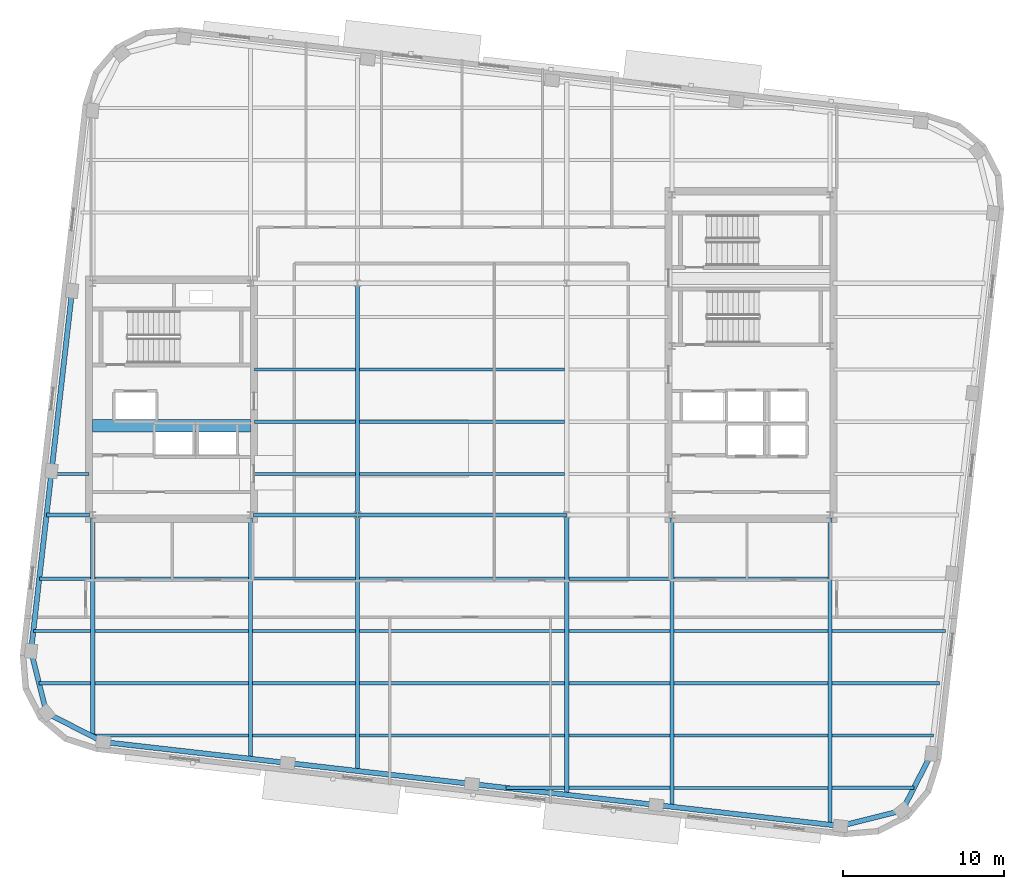
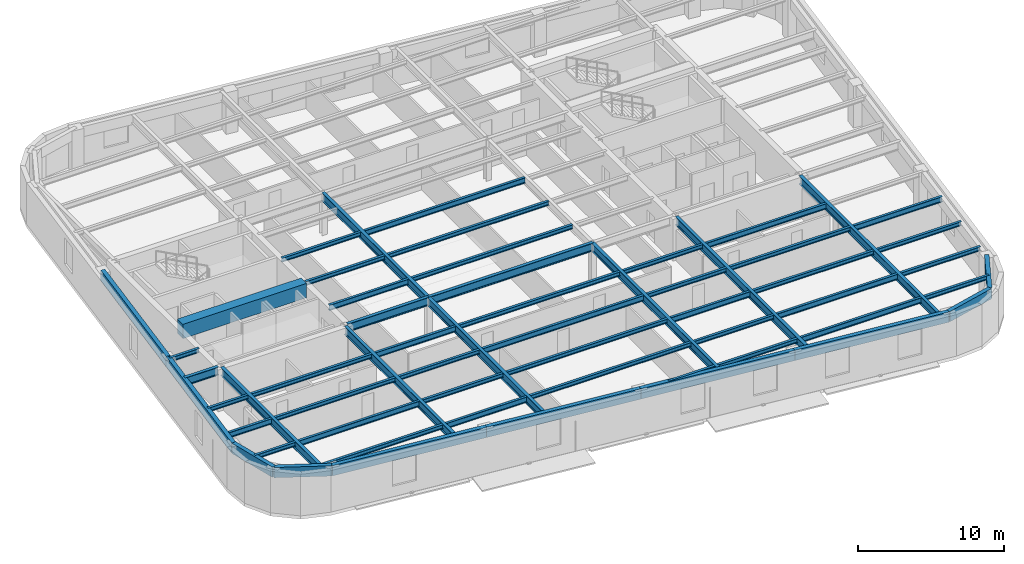
# One storey, part 3 of 13: 58 beams.
"""IFC4 building model written with IfcOpenShell, lengths in metres."""

from ifc_helpers import new_model, si_unit, direction, frame, origin, origin_2d, place, context, subcontext, project, spatial, rectangle, hollow_rectangle, i_section, extrude, material, material_profile, profile_set, type_object, element, save


model = new_model("IFC4")

# Units and contexts
model_context = context("Model", 3, precision=1e-05, world=origin(), true_north=direction((0.0, 1.0)))
body_context = subcontext(model_context, "Body", "Model", "MODEL_VIEW")
ifc_project = project(units=[si_unit("LENGTHUNIT", "METRE"), si_unit("AREAUNIT", "SQUARE_METRE"), si_unit("VOLUMEUNIT", "CUBIC_METRE"), si_unit("PLANEANGLEUNIT", "RADIAN"), si_unit("MASSUNIT", "GRAM", prefix="KILO")], contexts=[model_context])

# Site, building, storey
site_placement = place(None, origin())
site = spatial("IfcSite", under=ifc_project, at=site_placement, CompositionType="ELEMENT")
building_placement = place(site_placement, origin())
building = spatial("IfcBuilding", under=site, at=building_placement, Name="Kolvaren Arena Tower", CompositionType="ELEMENT")
storey_placement = place(building_placement, frame((0.0, 0.0, 239.699951171875)))
storey = spatial("IfcBuildingStorey", under=building, at=storey_placement, Name="L58", CompositionType="ELEMENT", Elevation=239.699951171875)

# Beams
ifc_material_1 = material(Name="Steel CSA G40.21 350W", Category="steel")
ifc_material_profile_1 = material_profile(ifc_material_1, i_section(OverallWidth=0.193115234375, OverallDepth=0.462890625, WebThickness=0.0107421875, FlangeThickness=0.0205078125, FilletRadius=0.012939453125, at=origin_2d()), Name="W460x113")
ifc_profile_set_1 = profile_set([ifc_material_profile_1], Name="Steel CSA G40.21 350W")
beam_type_1 = type_object("IfcBeamType", Name="BEAM-F2", PredefinedType="BEAM", material=ifc_profile_set_1)
beam_1_placement = place(storey_placement, frame((50.677490234375, 2.5, 3.24853515625), z_axis=(1.0, 0.0, 0.0), x_axis=(0.0, 1.0, 0.0)))
element("IfcBeam", 1, at=beam_1_placement, inside=storey, type_object=beam_type_1, Name="Composite Floor Beam (L58)", PredefinedType="BEAM", context=body_context, shape_type="SweptSolid", body=[
    extrude(i_section(OverallWidth=0.193115234375, OverallDepth=0.462890625, WebThickness=0.0107421875, FlangeThickness=0.0205078125, FilletRadius=0.012939453125, at=origin_2d()), origin(), (0.0, 0.0, 1.0), 9.544921875),
])
beam_2_placement = place(storey_placement, frame((24.4775390625, 5.75, 3.24853515625), z_axis=(1.0, 0.0, 0.0), x_axis=(0.0, 1.0, 0.0)))
element("IfcBeam", 2, at=beam_2_placement, inside=storey, type_object=beam_type_1, Name="Composite Floor Beam (L58)", PredefinedType="BEAM", context=body_context, shape_type="SweptSolid", body=[
    extrude(i_section(OverallWidth=0.193115234375, OverallDepth=0.462890625, WebThickness=0.0107421875, FlangeThickness=0.0205078125, FilletRadius=0.012939453125, at=origin_2d()), origin(), (0.0, 0.0, 1.0), 6.39501953125),
])
for number, where, z_axis, x_axis, name in (
    (3, (50.677490234375, 5.75, 3.24853515625), (1.0, 0.0, 0.0), (0.0, 1.0, 0.0), "Composite Floor Beam (L58)"),
    (4, (14.677490234375, 9.0, 3.24853515625), (1.0, 0.0, 0.0), (0.0, 1.0, 0.0), "Composite Floor Beam (L58)"),
):
    element("IfcBeam", number, at=place(storey_placement, frame(where, z_axis=z_axis, x_axis=x_axis)), inside=storey, type_object=beam_type_1, Name=name, PredefinedType="BEAM", context=body_context, shape_type="SweptSolid", body=[
        extrude(i_section(OverallWidth=0.193115234375, OverallDepth=0.462890625, WebThickness=0.0107421875, FlangeThickness=0.0205078125, FilletRadius=0.012939453125, at=origin_2d()), origin(), (0.0, 0.0, 1.0), 9.544921875),
    ])
beam_3_placement = place(storey_placement, frame((44.12744140625, 9.0, 3.24853515625), z_axis=(1.0, 0.0, 0.0), x_axis=(0.0, 1.0, 0.0)))
element("IfcBeam", 5, at=beam_3_placement, inside=storey, type_object=beam_type_1, Name="Composite Floor Beam (L58)", PredefinedType="BEAM", context=body_context, shape_type="SweptSolid", body=[
    extrude(i_section(OverallWidth=0.193115234375, OverallDepth=0.462890625, WebThickness=0.0107421875, FlangeThickness=0.0205078125, FilletRadius=0.012939453125, at=origin_2d()), origin(), (0.0, 0.0, 1.0), 6.295166015625),
])
beam_4_placement = place(storey_placement, frame((10.86083984375, 12.25, 3.24853515625), z_axis=(1.0, 0.0, 0.0), x_axis=(0.0, 1.0, 0.0)))
element("IfcBeam", 6, at=beam_4_placement, inside=storey, type_object=beam_type_1, Name="Composite Floor Beam (L58)", PredefinedType="BEAM", context=body_context, shape_type="SweptSolid", body=[
    extrude(i_section(OverallWidth=0.193115234375, OverallDepth=0.462890625, WebThickness=0.0107421875, FlangeThickness=0.0205078125, FilletRadius=0.012939453125, at=origin_2d()), origin(), (0.0, 0.0, 1.0), 3.561767578125),
])
beam_5_placement = place(storey_placement, frame((31.12744140625, 12.25, 3.24853515625), z_axis=(1.0, 0.0, 0.0), x_axis=(0.0, 1.0, 0.0)))
element("IfcBeam", 7, at=beam_5_placement, inside=storey, type_object=beam_type_1, Name="Composite Floor Beam (L58)", PredefinedType="BEAM", context=body_context, shape_type="SweptSolid", body=[
    extrude(i_section(OverallWidth=0.193115234375, OverallDepth=0.462890625, WebThickness=0.0107421875, FlangeThickness=0.0205078125, FilletRadius=0.012939453125, at=origin_2d()), origin(), (0.0, 0.0, 1.0), 12.7451171875),
])
beam_6_placement = place(storey_placement, frame((60.4775390625, 12.25, 3.24853515625), z_axis=(1.0, 0.0, 0.0), x_axis=(0.0, 1.0, 0.0)))
element("IfcBeam", 8, at=beam_6_placement, inside=storey, type_object=beam_type_1, Name="Composite Floor Beam (L58)", PredefinedType="BEAM", context=body_context, shape_type="SweptSolid", body=[
    extrude(i_section(OverallWidth=0.193115234375, OverallDepth=0.462890625, WebThickness=0.0107421875, FlangeThickness=0.0205078125, FilletRadius=0.012939453125, at=origin_2d()), origin(), (0.0, 0.0, 1.0), 7.04736328125),
])
beam_7_placement = place(storey_placement, frame((24.4775390625, 15.5, 3.24853515625), z_axis=(1.0, 0.0, 0.0), x_axis=(0.0, 1.0, 0.0)))
element("IfcBeam", 9, at=beam_7_placement, inside=storey, type_object=beam_type_1, Name="Composite Floor Beam (L58)", PredefinedType="BEAM", context=body_context, shape_type="SweptSolid", body=[
    extrude(i_section(OverallWidth=0.193115234375, OverallDepth=0.462890625, WebThickness=0.0107421875, FlangeThickness=0.0205078125, FilletRadius=0.012939453125, at=origin_2d()), origin(), (0.0, 0.0, 1.0), 6.39501953125),
])
beam_8_placement = place(storey_placement, frame((50.677490234375, 15.5, 3.24853515625), z_axis=(1.0, 0.0, 0.0), x_axis=(0.0, 1.0, 0.0)))
element("IfcBeam", 10, at=beam_8_placement, inside=storey, type_object=beam_type_1, Name="Composite Floor Beam (L58)", PredefinedType="BEAM", context=body_context, shape_type="SweptSolid", body=[
    extrude(i_section(OverallWidth=0.193115234375, OverallDepth=0.462890625, WebThickness=0.0107421875, FlangeThickness=0.0205078125, FilletRadius=0.012939453125, at=origin_2d()), origin(), (0.0, 0.0, 1.0), 9.544921875),
])
beam_9_placement = place(storey_placement, frame((24.594970703125, 22.0, 3.24853515625), z_axis=(1.0, 0.0, 0.0), x_axis=(0.0, 1.0, 0.0)))
element("IfcBeam", 11, at=beam_9_placement, inside=storey, type_object=beam_type_1, Name="Composite Floor Beam (L58)", PredefinedType="BEAM", context=body_context, shape_type="SweptSolid", body=[
    extrude(i_section(OverallWidth=0.193115234375, OverallDepth=0.462890625, WebThickness=0.0107421875, FlangeThickness=0.0205078125, FilletRadius=0.012939453125, at=origin_2d()), origin(), (0.0, 0.0, 1.0), 6.277587890625),
])
beam_10_placement = place(storey_placement, frame((31.12744140625, 28.5, 3.24853515625), z_axis=(1.0, 0.0, 0.0), x_axis=(0.0, 1.0, 0.0)))
element("IfcBeam", 12, at=beam_10_placement, inside=storey, type_object=beam_type_1, Name="Composite Floor Beam (L58)", PredefinedType="BEAM", context=body_context, shape_type="SweptSolid", body=[
    extrude(i_section(OverallWidth=0.193115234375, OverallDepth=0.462890625, WebThickness=0.0107421875, FlangeThickness=0.0205078125, FilletRadius=0.012939453125, at=origin_2d()), origin(), (0.0, 0.0, 1.0), 12.7451171875),
])
ifc_material_2 = material(Name="Concrete 60 MPa", Category="concrete")
ifc_material_profile_2 = material_profile(ifc_material_2, rectangle(XDim=0.75, YDim=1.199951171875, at=origin_2d()), Name="RC-750x1200")
ifc_profile_set_2 = profile_set([ifc_material_profile_2], Name="Concrete 60 MPa")
beam_type_2 = type_object("IfcBeamType", Name="CB-CORE-2", PredefinedType="BEAM", material=ifc_profile_set_2)
beam_11_placement = place(storey_placement, frame((14.550048828125, 25.0, 3.150146484375), z_axis=(1.0, 0.0, 0.0), x_axis=(0.0, 1.0, 0.0)))
element("IfcBeam", 13, at=beam_11_placement, inside=storey, type_object=beam_type_2, Name="West Core Coupling Beam (L58)", PredefinedType="BEAM", context=body_context, shape_type="SweptSolid", body=[
    extrude(rectangle(XDim=0.75, YDim=1.199951171875, at=origin_2d()), origin(), (0.0, 0.0, 1.0), 9.800048828125),
])
ifc_material_profile_3 = material_profile(ifc_material_1, i_section(OverallWidth=0.2548828125, OverallDepth=0.695068359375, WebThickness=0.01708984375, FlangeThickness=0.02978515625, FilletRadius=0.01611328125, at=origin_2d()), Name="W690x217")
ifc_profile_set_3 = profile_set([ifc_material_profile_3], Name="Steel CSA G40.21 350W")
beam_type_3 = type_object("IfcBeamType", Name="GIRD-T2", PredefinedType="BEAM", material=ifc_profile_set_3)
beam_12_placement = place(storey_placement, frame((11.68115234375, 19.449951171875, 3.132568359375), z_axis=(1.0, 0.0, 0.0), x_axis=(0.0, 1.0, 0.0)))
element("IfcBeam", 14, at=beam_12_placement, inside=storey, type_object=beam_type_3, Name="Primary Floor Girder (L58)", PredefinedType="BEAM", context=body_context, shape_type="SweptSolid", body=[
    extrude(i_section(OverallWidth=0.2548828125, OverallDepth=0.695068359375, WebThickness=0.01708984375, FlangeThickness=0.02978515625, FilletRadius=0.01611328125, at=origin_2d()), origin(), (0.0, 0.0, 1.0), 2.663818359375),
])
beam_13_placement = place(storey_placement, frame((24.554931640625, 19.449951171875, 3.132568359375), z_axis=(1.0, 0.0, 0.0), x_axis=(0.0, 1.0, 0.0)))
element("IfcBeam", 15, at=beam_13_placement, inside=storey, type_object=beam_type_3, Name="Primary Floor Girder (L58)", PredefinedType="BEAM", context=body_context, shape_type="SweptSolid", body=[
    extrude(i_section(OverallWidth=0.2548828125, OverallDepth=0.695068359375, WebThickness=0.01708984375, FlangeThickness=0.02978515625, FilletRadius=0.01611328125, at=origin_2d()), origin(), (0.0, 0.0, 1.0), 6.445068359375),
])
beam_14_placement = place(storey_placement, frame((31.0, 19.449951171875, 3.132568359375), z_axis=(1.0, 0.0, 0.0), x_axis=(0.0, 1.0, 0.0)))
element("IfcBeam", 16, at=beam_14_placement, inside=storey, type_object=beam_type_3, Name="Primary Floor Girder (L58)", PredefinedType="BEAM", context=body_context, shape_type="SweptSolid", body=[
    extrude(i_section(OverallWidth=0.2548828125, OverallDepth=0.695068359375, WebThickness=0.01708984375, FlangeThickness=0.02978515625, FilletRadius=0.01611328125, at=origin_2d()), origin(), (0.0, 0.0, 1.0), 13.0),
])
beam_15_placement = place(storey_placement, frame((14.550048828125, 5.686767578125, 3.132568359375), z_axis=(0.0, 1.0, 0.0), x_axis=(-1.0, 0.0, 0.0)))
element("IfcBeam", 17, at=beam_15_placement, inside=storey, type_object=beam_type_3, Name="Primary Floor Girder (L58)", PredefinedType="BEAM", context=body_context, shape_type="SweptSolid", body=[
    extrude(i_section(OverallWidth=0.2548828125, OverallDepth=0.695068359375, WebThickness=0.01708984375, FlangeThickness=0.02978515625, FilletRadius=0.01611328125, at=origin_2d()), origin(), (0.0, 0.0, 1.0), 13.558349609375),
])
beam_16_placement = place(storey_placement, frame((24.35009765625, 4.30908203125, 3.132568359375), z_axis=(0.0, 1.0, 0.0), x_axis=(-1.0, 0.0, 0.0)))
element("IfcBeam", 18, at=beam_16_placement, inside=storey, type_object=beam_type_3, Name="Primary Floor Girder (L58)", PredefinedType="BEAM", context=body_context, shape_type="SweptSolid", body=[
    extrude(i_section(OverallWidth=0.2548828125, OverallDepth=0.695068359375, WebThickness=0.01708984375, FlangeThickness=0.02978515625, FilletRadius=0.01611328125, at=origin_2d()), origin(), (0.0, 0.0, 1.0), 14.93603515625),
])
beam_17_placement = place(storey_placement, frame((31.0, 3.551513671875, 3.132568359375), z_axis=(0.0, 1.0, 0.0), x_axis=(-1.0, 0.0, 0.0)))
element("IfcBeam", 19, at=beam_17_placement, inside=storey, type_object=beam_type_3, Name="Primary Floor Girder (L58)", PredefinedType="BEAM", context=body_context, shape_type="SweptSolid", body=[
    extrude(i_section(OverallWidth=0.2548828125, OverallDepth=0.695068359375, WebThickness=0.01708984375, FlangeThickness=0.02978515625, FilletRadius=0.01611328125, at=origin_2d()), origin(), (0.0, 0.0, 1.0), 15.8984375),
])
beam_18_placement = place(storey_placement, frame((31.0, 19.449951171875, 3.132568359375), z_axis=(0.0, 1.0, 0.0), x_axis=(-1.0, 0.0, 0.0)))
element("IfcBeam", 20, at=beam_18_placement, inside=storey, type_object=beam_type_3, Name="Primary Floor Girder (L58)", PredefinedType="BEAM", context=body_context, shape_type="SweptSolid", body=[
    extrude(i_section(OverallWidth=0.2548828125, OverallDepth=0.695068359375, WebThickness=0.01708984375, FlangeThickness=0.02978515625, FilletRadius=0.01611328125, at=origin_2d()), origin(), (0.0, 0.0, 1.0), 14.400146484375),
])
beam_19_placement = place(storey_placement, frame((44.0, 2.0703125, 3.132568359375), z_axis=(0.0, 1.0, 0.0), x_axis=(-1.0, 0.0, 0.0)))
element("IfcBeam", 21, at=beam_19_placement, inside=storey, type_object=beam_type_3, Name="Primary Floor Girder (L58)", PredefinedType="BEAM", context=body_context, shape_type="SweptSolid", body=[
    extrude(i_section(OverallWidth=0.2548828125, OverallDepth=0.695068359375, WebThickness=0.01708984375, FlangeThickness=0.02978515625, FilletRadius=0.01611328125, at=origin_2d()), origin(), (0.0, 0.0, 1.0), 17.379638671875),
])
beam_20_placement = place(storey_placement, frame((50.550048828125, 1.323974609375, 3.132568359375), z_axis=(0.0, 1.0, 0.0), x_axis=(-1.0, 0.0, 0.0)))
element("IfcBeam", 22, at=beam_20_placement, inside=storey, type_object=beam_type_3, Name="Primary Floor Girder (L58)", PredefinedType="BEAM", context=body_context, shape_type="SweptSolid", body=[
    extrude(i_section(OverallWidth=0.2548828125, OverallDepth=0.695068359375, WebThickness=0.01708984375, FlangeThickness=0.02978515625, FilletRadius=0.01611328125, at=origin_2d()), origin(), (0.0, 0.0, 1.0), 17.921142578125),
])
beam_21_placement = place(storey_placement, frame((60.35009765625, 0.20751953125, 3.132568359375), z_axis=(0.0, 1.0, 0.0), x_axis=(-1.0, 0.0, 0.0)))
element("IfcBeam", 23, at=beam_21_placement, inside=storey, type_object=beam_type_3, Name="Primary Floor Girder (L58)", PredefinedType="BEAM", context=body_context, shape_type="SweptSolid", body=[
    extrude(i_section(OverallWidth=0.2548828125, OverallDepth=0.695068359375, WebThickness=0.01708984375, FlangeThickness=0.02978515625, FilletRadius=0.01611328125, at=origin_2d()), origin(), (0.0, 0.0, 1.0), 19.03759765625),
])
ifc_material_profile_4 = material_profile(ifc_material_1, i_section(OverallWidth=0.202880859375, OverallDepth=0.346923828125, WebThickness=0.0078125, FlangeThickness=0.013427734375, FilletRadius=0.010986328125, at=origin_2d()), Name="W360x64")
ifc_profile_set_4 = profile_set([ifc_material_profile_4], Name="Steel CSA G40.21 350W")
beam_type_4 = type_object("IfcBeamType", Name="JOIST-01", PredefinedType="JOIST", material=ifc_profile_set_4)
beam_22_placement = place(storey_placement, frame((40.228271484375, 2.5, 3.306640625), z_axis=(1.0, 0.0, 0.0), x_axis=(0.0, 1.0, 0.0)))
element("IfcBeam", 24, at=beam_22_placement, inside=storey, type_object=beam_type_4, Name="Composite Floor Joist (L58)", PredefinedType="JOIST", context=body_context, shape_type="SweptSolid", body=[
    extrude(i_section(OverallWidth=0.202880859375, OverallDepth=0.346923828125, WebThickness=0.0078125, FlangeThickness=0.013427734375, FilletRadius=0.010986328125, at=origin_2d()), origin(), (0.0, 0.0, 1.0), 3.644287109375),
])
beam_23_placement = place(storey_placement, frame((44.12744140625, 2.5, 3.306640625), z_axis=(1.0, 0.0, 0.0), x_axis=(0.0, 1.0, 0.0)))
element("IfcBeam", 25, at=beam_23_placement, inside=storey, type_object=beam_type_4, Name="Composite Floor Joist (L58)", PredefinedType="JOIST", context=body_context, shape_type="SweptSolid", body=[
    extrude(i_section(OverallWidth=0.202880859375, OverallDepth=0.346923828125, WebThickness=0.0078125, FlangeThickness=0.013427734375, FilletRadius=0.010986328125, at=origin_2d()), origin(), (0.0, 0.0, 1.0), 6.295166015625),
])
beam_24_placement = place(storey_placement, frame((60.4775390625, 2.5, 3.306640625), z_axis=(1.0, 0.0, 0.0), x_axis=(0.0, 1.0, 0.0)))
element("IfcBeam", 26, at=beam_24_placement, inside=storey, type_object=beam_type_4, Name="Composite Floor Joist (L58)", PredefinedType="JOIST", context=body_context, shape_type="SweptSolid", body=[
    extrude(i_section(OverallWidth=0.202880859375, OverallDepth=0.346923828125, WebThickness=0.0078125, FlangeThickness=0.013427734375, FilletRadius=0.010986328125, at=origin_2d()), origin(), (0.0, 0.0, 1.0), 5.09423828125),
])
beam_25_placement = place(storey_placement, frame((14.42626953125, 5.75, 3.306640625), z_axis=(1.0, 0.0, 0.0), x_axis=(0.0, 1.0, 0.0)))
element("IfcBeam", 27, at=beam_25_placement, inside=storey, type_object=beam_type_4, Name="Composite Floor Joist (L58)", PredefinedType="JOIST", context=body_context, shape_type="SweptSolid", body=[
    extrude(i_section(OverallWidth=0.202880859375, OverallDepth=0.346923828125, WebThickness=0.0078125, FlangeThickness=0.013427734375, FilletRadius=0.010986328125, at=origin_2d()), origin(), (0.0, 0.0, 1.0), 9.796142578125),
])
beam_26_placement = place(storey_placement, frame((31.12744140625, 5.75, 3.306640625), z_axis=(1.0, 0.0, 0.0), x_axis=(0.0, 1.0, 0.0)))
element("IfcBeam", 28, at=beam_26_placement, inside=storey, type_object=beam_type_4, Name="Composite Floor Joist (L58)", PredefinedType="JOIST", context=body_context, shape_type="SweptSolid", body=[
    extrude(i_section(OverallWidth=0.202880859375, OverallDepth=0.346923828125, WebThickness=0.0078125, FlangeThickness=0.013427734375, FilletRadius=0.010986328125, at=origin_2d()), origin(), (0.0, 0.0, 1.0), 12.7451171875),
])
beam_27_placement = place(storey_placement, frame((44.12744140625, 5.75, 3.306640625), z_axis=(1.0, 0.0, 0.0), x_axis=(0.0, 1.0, 0.0)))
element("IfcBeam", 29, at=beam_27_placement, inside=storey, type_object=beam_type_4, Name="Composite Floor Joist (L58)", PredefinedType="JOIST", context=body_context, shape_type="SweptSolid", body=[
    extrude(i_section(OverallWidth=0.202880859375, OverallDepth=0.346923828125, WebThickness=0.0078125, FlangeThickness=0.013427734375, FilletRadius=0.010986328125, at=origin_2d()), origin(), (0.0, 0.0, 1.0), 6.295166015625),
])
beam_28_placement = place(storey_placement, frame((60.4775390625, 5.75, 3.306640625), z_axis=(1.0, 0.0, 0.0), x_axis=(0.0, 1.0, 0.0)))
element("IfcBeam", 30, at=beam_28_placement, inside=storey, type_object=beam_type_4, Name="Composite Floor Joist (L58)", PredefinedType="JOIST", context=body_context, shape_type="SweptSolid", body=[
    extrude(i_section(OverallWidth=0.202880859375, OverallDepth=0.346923828125, WebThickness=0.0078125, FlangeThickness=0.013427734375, FilletRadius=0.010986328125, at=origin_2d()), origin(), (0.0, 0.0, 1.0), 6.306884765625),
])
beam_29_placement = place(storey_placement, frame((11.217529296875, 9.0, 3.306640625), z_axis=(1.0, 0.0, 0.0), x_axis=(0.0, 1.0, 0.0)))
element("IfcBeam", 31, at=beam_29_placement, inside=storey, type_object=beam_type_4, Name="Composite Floor Joist (L58)", PredefinedType="JOIST", context=body_context, shape_type="SweptSolid", body=[
    extrude(i_section(OverallWidth=0.202880859375, OverallDepth=0.346923828125, WebThickness=0.0078125, FlangeThickness=0.013427734375, FilletRadius=0.010986328125, at=origin_2d()), origin(), (0.0, 0.0, 1.0), 3.205078125),
])
beam_30_placement = place(storey_placement, frame((24.4775390625, 9.0, 3.306640625), z_axis=(1.0, 0.0, 0.0), x_axis=(0.0, 1.0, 0.0)))
element("IfcBeam", 32, at=beam_30_placement, inside=storey, type_object=beam_type_4, Name="Composite Floor Joist (L58)", PredefinedType="JOIST", context=body_context, shape_type="SweptSolid", body=[
    extrude(i_section(OverallWidth=0.202880859375, OverallDepth=0.346923828125, WebThickness=0.0078125, FlangeThickness=0.013427734375, FilletRadius=0.010986328125, at=origin_2d()), origin(), (0.0, 0.0, 1.0), 6.39501953125),
])
beam_31_placement = place(storey_placement, frame((31.12744140625, 9.0, 3.306640625), z_axis=(1.0, 0.0, 0.0), x_axis=(0.0, 1.0, 0.0)))
element("IfcBeam", 33, at=beam_31_placement, inside=storey, type_object=beam_type_4, Name="Composite Floor Joist (L58)", PredefinedType="JOIST", context=body_context, shape_type="SweptSolid", body=[
    extrude(i_section(OverallWidth=0.202880859375, OverallDepth=0.346923828125, WebThickness=0.0078125, FlangeThickness=0.013427734375, FilletRadius=0.010986328125, at=origin_2d()), origin(), (0.0, 0.0, 1.0), 12.7451171875),
])
beam_32_placement = place(storey_placement, frame((50.677490234375, 9.0, 3.306640625), z_axis=(1.0, 0.0, 0.0), x_axis=(0.0, 1.0, 0.0)))
element("IfcBeam", 34, at=beam_32_placement, inside=storey, type_object=beam_type_4, Name="Composite Floor Joist (L58)", PredefinedType="JOIST", context=body_context, shape_type="SweptSolid", body=[
    extrude(i_section(OverallWidth=0.202880859375, OverallDepth=0.346923828125, WebThickness=0.0078125, FlangeThickness=0.013427734375, FilletRadius=0.010986328125, at=origin_2d()), origin(), (0.0, 0.0, 1.0), 9.544921875),
])
beam_33_placement = place(storey_placement, frame((60.4775390625, 9.0, 3.306640625), z_axis=(1.0, 0.0, 0.0), x_axis=(0.0, 1.0, 0.0)))
element("IfcBeam", 35, at=beam_33_placement, inside=storey, type_object=beam_type_4, Name="Composite Floor Joist (L58)", PredefinedType="JOIST", context=body_context, shape_type="SweptSolid", body=[
    extrude(i_section(OverallWidth=0.202880859375, OverallDepth=0.346923828125, WebThickness=0.0078125, FlangeThickness=0.013427734375, FilletRadius=0.010986328125, at=origin_2d()), origin(), (0.0, 0.0, 1.0), 6.67724609375),
])
beam_34_placement = place(storey_placement, frame((14.677490234375, 12.25, 3.306640625), z_axis=(1.0, 0.0, 0.0), x_axis=(0.0, 1.0, 0.0)))
element("IfcBeam", 36, at=beam_34_placement, inside=storey, type_object=beam_type_4, Name="Composite Floor Joist (L58)", PredefinedType="JOIST", context=body_context, shape_type="SweptSolid", body=[
    extrude(i_section(OverallWidth=0.202880859375, OverallDepth=0.346923828125, WebThickness=0.0078125, FlangeThickness=0.013427734375, FilletRadius=0.010986328125, at=origin_2d()), origin(), (0.0, 0.0, 1.0), 9.544921875),
])
beam_35_placement = place(storey_placement, frame((24.4775390625, 12.25, 3.306640625), z_axis=(1.0, 0.0, 0.0), x_axis=(0.0, 1.0, 0.0)))
element("IfcBeam", 37, at=beam_35_placement, inside=storey, type_object=beam_type_4, Name="Composite Floor Joist (L58)", PredefinedType="JOIST", context=body_context, shape_type="SweptSolid", body=[
    extrude(i_section(OverallWidth=0.202880859375, OverallDepth=0.346923828125, WebThickness=0.0078125, FlangeThickness=0.013427734375, FilletRadius=0.010986328125, at=origin_2d()), origin(), (0.0, 0.0, 1.0), 6.39501953125),
])
beam_36_placement = place(storey_placement, frame((44.12744140625, 12.25, 3.306640625), z_axis=(1.0, 0.0, 0.0), x_axis=(0.0, 1.0, 0.0)))
element("IfcBeam", 38, at=beam_36_placement, inside=storey, type_object=beam_type_4, Name="Composite Floor Joist (L58)", PredefinedType="JOIST", context=body_context, shape_type="SweptSolid", body=[
    extrude(i_section(OverallWidth=0.202880859375, OverallDepth=0.346923828125, WebThickness=0.0078125, FlangeThickness=0.013427734375, FilletRadius=0.010986328125, at=origin_2d()), origin(), (0.0, 0.0, 1.0), 6.295166015625),
])
beam_37_placement = place(storey_placement, frame((50.677490234375, 12.25, 3.306640625), z_axis=(1.0, 0.0, 0.0), x_axis=(0.0, 1.0, 0.0)))
element("IfcBeam", 39, at=beam_37_placement, inside=storey, type_object=beam_type_4, Name="Composite Floor Joist (L58)", PredefinedType="JOIST", context=body_context, shape_type="SweptSolid", body=[
    extrude(i_section(OverallWidth=0.202880859375, OverallDepth=0.346923828125, WebThickness=0.0078125, FlangeThickness=0.013427734375, FilletRadius=0.010986328125, at=origin_2d()), origin(), (0.0, 0.0, 1.0), 9.544921875),
])
beam_38_placement = place(storey_placement, frame((11.23095703125, 15.5, 3.306640625), z_axis=(1.0, 0.0, 0.0), x_axis=(0.0, 1.0, 0.0)))
element("IfcBeam", 40, at=beam_38_placement, inside=storey, type_object=beam_type_4, Name="Composite Floor Joist (L58)", PredefinedType="JOIST", context=body_context, shape_type="SweptSolid", body=[
    extrude(i_section(OverallWidth=0.202880859375, OverallDepth=0.346923828125, WebThickness=0.0078125, FlangeThickness=0.013427734375, FilletRadius=0.010986328125, at=origin_2d()), origin(), (0.0, 0.0, 1.0), 3.191650390625),
])
beam_39_placement = place(storey_placement, frame((14.677490234375, 15.5, 3.306640625), z_axis=(1.0, 0.0, 0.0), x_axis=(0.0, 1.0, 0.0)))
element("IfcBeam", 41, at=beam_39_placement, inside=storey, type_object=beam_type_4, Name="Composite Floor Joist (L58)", PredefinedType="JOIST", context=body_context, shape_type="SweptSolid", body=[
    extrude(i_section(OverallWidth=0.202880859375, OverallDepth=0.346923828125, WebThickness=0.0078125, FlangeThickness=0.013427734375, FilletRadius=0.010986328125, at=origin_2d()), origin(), (0.0, 0.0, 1.0), 9.544921875),
])
beam_40_placement = place(storey_placement, frame((31.12744140625, 15.5, 3.306640625), z_axis=(1.0, 0.0, 0.0), x_axis=(0.0, 1.0, 0.0)))
element("IfcBeam", 42, at=beam_40_placement, inside=storey, type_object=beam_type_4, Name="Composite Floor Joist (L58)", PredefinedType="JOIST", context=body_context, shape_type="SweptSolid", body=[
    extrude(i_section(OverallWidth=0.202880859375, OverallDepth=0.346923828125, WebThickness=0.0078125, FlangeThickness=0.013427734375, FilletRadius=0.010986328125, at=origin_2d()), origin(), (0.0, 0.0, 1.0), 12.7451171875),
])
beam_41_placement = place(storey_placement, frame((44.12744140625, 15.5, 3.306640625), z_axis=(1.0, 0.0, 0.0), x_axis=(0.0, 1.0, 0.0)))
element("IfcBeam", 43, at=beam_41_placement, inside=storey, type_object=beam_type_4, Name="Composite Floor Joist (L58)", PredefinedType="JOIST", context=body_context, shape_type="SweptSolid", body=[
    extrude(i_section(OverallWidth=0.202880859375, OverallDepth=0.346923828125, WebThickness=0.0078125, FlangeThickness=0.013427734375, FilletRadius=0.010986328125, at=origin_2d()), origin(), (0.0, 0.0, 1.0), 6.295166015625),
])
beam_42_placement = place(storey_placement, frame((11.9716796875, 22.0, 3.306640625), z_axis=(1.0, 0.0, 0.0), x_axis=(0.0, 1.0, 0.0)))
element("IfcBeam", 44, at=beam_42_placement, inside=storey, type_object=beam_type_4, Name="Composite Floor Joist (L58)", PredefinedType="JOIST", context=body_context, shape_type="SweptSolid", body=[
    extrude(i_section(OverallWidth=0.202880859375, OverallDepth=0.346923828125, WebThickness=0.0078125, FlangeThickness=0.013427734375, FilletRadius=0.010986328125, at=origin_2d()), origin(), (0.0, 0.0, 1.0), 2.333251953125),
])
beam_43_placement = place(storey_placement, frame((31.12744140625, 22.0, 3.306640625), z_axis=(1.0, 0.0, 0.0), x_axis=(0.0, 1.0, 0.0)))
element("IfcBeam", 45, at=beam_43_placement, inside=storey, type_object=beam_type_4, Name="Composite Floor Joist (L58)", PredefinedType="JOIST", context=body_context, shape_type="SweptSolid", body=[
    extrude(i_section(OverallWidth=0.202880859375, OverallDepth=0.346923828125, WebThickness=0.0078125, FlangeThickness=0.013427734375, FilletRadius=0.010986328125, at=origin_2d()), origin(), (0.0, 0.0, 1.0), 12.7451171875),
])
beam_44_placement = place(storey_placement, frame((24.594970703125, 25.25, 3.306640625), z_axis=(1.0, 0.0, 0.0), x_axis=(0.0, 1.0, 0.0)))
element("IfcBeam", 46, at=beam_44_placement, inside=storey, type_object=beam_type_4, Name="Composite Floor Joist (L58)", PredefinedType="JOIST", context=body_context, shape_type="SweptSolid", body=[
    extrude(i_section(OverallWidth=0.202880859375, OverallDepth=0.346923828125, WebThickness=0.0078125, FlangeThickness=0.013427734375, FilletRadius=0.010986328125, at=origin_2d()), origin(), (0.0, 0.0, 1.0), 6.277587890625),
])
beam_45_placement = place(storey_placement, frame((31.12744140625, 25.25, 3.306640625), z_axis=(1.0, 0.0, 0.0), x_axis=(0.0, 1.0, 0.0)))
element("IfcBeam", 47, at=beam_45_placement, inside=storey, type_object=beam_type_4, Name="Composite Floor Joist (L58)", PredefinedType="JOIST", context=body_context, shape_type="SweptSolid", body=[
    extrude(i_section(OverallWidth=0.202880859375, OverallDepth=0.346923828125, WebThickness=0.0078125, FlangeThickness=0.013427734375, FilletRadius=0.010986328125, at=origin_2d()), origin(), (0.0, 0.0, 1.0), 12.7451171875),
])
beam_46_placement = place(storey_placement, frame((24.594970703125, 28.5, 3.306640625), z_axis=(1.0, 0.0, 0.0), x_axis=(0.0, 1.0, 0.0)))
element("IfcBeam", 48, at=beam_46_placement, inside=storey, type_object=beam_type_4, Name="Composite Floor Joist (L58)", PredefinedType="JOIST", context=body_context, shape_type="SweptSolid", body=[
    extrude(i_section(OverallWidth=0.202880859375, OverallDepth=0.346923828125, WebThickness=0.0078125, FlangeThickness=0.013427734375, FilletRadius=0.010986328125, at=origin_2d()), origin(), (0.0, 0.0, 1.0), 6.277587890625),
])
ifc_material_3 = material(Name="Steel CSA G40.21 350WT", Category="steel")
ifc_material_profile_5 = material_profile(ifc_material_3, hollow_rectangle(XDim=0.320068359375, YDim=0.860107421875, WallThickness=0.01806640625, at=origin_2d()), Name="HSS 860x320x18")
ifc_profile_set_5 = profile_set([ifc_material_profile_5], Name="Steel CSA G40.21 350WT")
beam_type_5 = type_object("IfcBeamType", Name="SPAND-02", PredefinedType="SPANDREL", material=ifc_profile_set_5)
for number, where, z_axis, x_axis, name in (
    (49, (15.207763671875, 5.350830078125, 3.050048828125), (0.99357166944, -0.113204848336, 0.0), (0.113204848336, 0.99357166944, 0.0), "Perimeter Spandrel Beam (L58)"),
    (50, (26.65869140625, 4.046142578125, 3.050048828125), (0.99357166944, -0.113204848336, 0.0), (0.113204848336, 0.99357166944, 0.0), "Perimeter Spandrel Beam (L58)"),
):
    element("IfcBeam", number, at=place(storey_placement, frame(where, z_axis=z_axis, x_axis=x_axis)), inside=storey, type_object=beam_type_5, Name=name, PredefinedType="SPANDREL", context=body_context, shape_type="SweptSolid", body=[
        extrude(hollow_rectangle(XDim=0.320068359375, YDim=0.860107421875, WallThickness=0.01806640625, at=origin_2d()), origin(), (0.0, 0.0, 1.0), 11.52490234375),
    ])
beam_47_placement = place(storey_placement, frame((38.109619140625, 2.741455078125, 3.050048828125), z_axis=(0.993571397957, -0.113207231049, 0.0), x_axis=(0.113207231049, 0.993571397957, 0.0)))
element("IfcBeam", 51, at=beam_47_placement, inside=storey, type_object=beam_type_5, Name="Perimeter Spandrel Beam (L58)", PredefinedType="SPANDREL", context=body_context, shape_type="SweptSolid", body=[
    extrude(hollow_rectangle(XDim=0.320068359375, YDim=0.860107421875, WallThickness=0.01806640625, at=origin_2d()), origin(), (0.0, 0.0, 1.0), 11.524658203125),
])
beam_48_placement = place(storey_placement, frame((49.560302734375, 1.436767578125, 3.050048828125), z_axis=(0.993571940905, -0.113202465721, 0.0), x_axis=(0.113202465721, 0.993571940905, 0.0)))
element("IfcBeam", 52, at=beam_48_placement, inside=storey, type_object=beam_type_5, Name="Perimeter Spandrel Beam (L58)", PredefinedType="SPANDREL", context=body_context, shape_type="SweptSolid", body=[
    extrude(hollow_rectangle(XDim=0.320068359375, YDim=0.860107421875, WallThickness=0.01806640625, at=origin_2d()), origin(), (0.0, 0.0, 1.0), 11.525146484375),
])
beam_49_placement = place(storey_placement, frame((61.011474609375, 0.132080078125, 3.050048828125), z_axis=(0.970033632471, 0.242970681103, 0.0), x_axis=(-0.242970681103, 0.970033632471, 0.0)))
element("IfcBeam", 53, at=beam_49_placement, inside=storey, type_object=beam_type_5, Name="Perimeter Spandrel Beam (L58)", PredefinedType="SPANDREL", context=body_context, shape_type="SweptSolid", body=[
    extrude(hollow_rectangle(XDim=0.320068359375, YDim=0.860107421875, WallThickness=0.01806640625, at=origin_2d()), origin(), (0.0, 0.0, 1.0), 3.9609375),
])
beam_50_placement = place(storey_placement, frame((64.853759765625, 1.094482421875, 3.050048828125), z_axis=(0.454962284061, 0.89051070745, 0.0), x_axis=(-0.89051070745, 0.454962284061, 0.0)))
element("IfcBeam", 54, at=beam_50_placement, inside=storey, type_object=beam_type_5, Name="Perimeter Spandrel Beam (L58)", PredefinedType="SPANDREL", context=body_context, shape_type="SweptSolid", body=[
    extrude(hollow_rectangle(XDim=0.320068359375, YDim=0.860107421875, WallThickness=0.01806640625, at=origin_2d()), origin(), (0.0, 0.0, 1.0), 3.96142578125),
])
beam_51_placement = place(storey_placement, frame((13.268798828125, 33.3837890625, 3.050048828125), z_axis=(-0.113220850685, -0.993569846045, 0.0), x_axis=(0.993569846045, -0.113220850685, 0.0)))
element("IfcBeam", 55, at=beam_51_placement, inside=storey, type_object=beam_type_5, Name="Perimeter Spandrel Beam (L58)", PredefinedType="SPANDREL", context=body_context, shape_type="SweptSolid", body=[
    extrude(hollow_rectangle(XDim=0.320068359375, YDim=0.860107421875, WallThickness=0.01806640625, at=origin_2d()), origin(), (0.0, 0.0, 1.0), 11.266845703125),
])
beam_52_placement = place(storey_placement, frame((11.9931640625, 22.189453125, 3.050048828125), z_axis=(-0.113201896536, -0.993572005755, 0.0), x_axis=(0.993572005755, -0.113201896536, 0.0)))
element("IfcBeam", 56, at=beam_52_placement, inside=storey, type_object=beam_type_5, Name="Perimeter Spandrel Beam (L58)", PredefinedType="SPANDREL", context=body_context, shape_type="SweptSolid", body=[
    extrude(hollow_rectangle(XDim=0.320068359375, YDim=0.860107421875, WallThickness=0.01806640625, at=origin_2d()), origin(), (0.0, 0.0, 1.0), 11.2666015625),
])
beam_53_placement = place(storey_placement, frame((10.7177734375, 10.995361328125, 3.050048828125), z_axis=(0.243014148252, -0.970022743934, 0.0), x_axis=(0.970022743934, 0.243014148252, 0.0)))
element("IfcBeam", 57, at=beam_53_placement, inside=storey, type_object=beam_type_5, Name="Perimeter Spandrel Beam (L58)", PredefinedType="SPANDREL", context=body_context, shape_type="SweptSolid", body=[
    extrude(hollow_rectangle(XDim=0.320068359375, YDim=0.860107421875, WallThickness=0.01806640625, at=origin_2d()), origin(), (0.0, 0.0, 1.0), 3.961181640625),
])
beam_54_placement = place(storey_placement, frame((11.680419921875, 7.15283203125, 3.050048828125), z_axis=(0.890522920884, -0.454938377564, 0.0), x_axis=(0.454938377564, 0.890522920884, 0.0)))
element("IfcBeam", 58, at=beam_54_placement, inside=storey, type_object=beam_type_5, Name="Perimeter Spandrel Beam (L58)", PredefinedType="SPANDREL", context=body_context, shape_type="SweptSolid", body=[
    extrude(hollow_rectangle(XDim=0.320068359375, YDim=0.860107421875, WallThickness=0.01806640625, at=origin_2d()), origin(), (0.0, 0.0, 1.0), 3.9609375),
])

save(model, "model.ifc")
